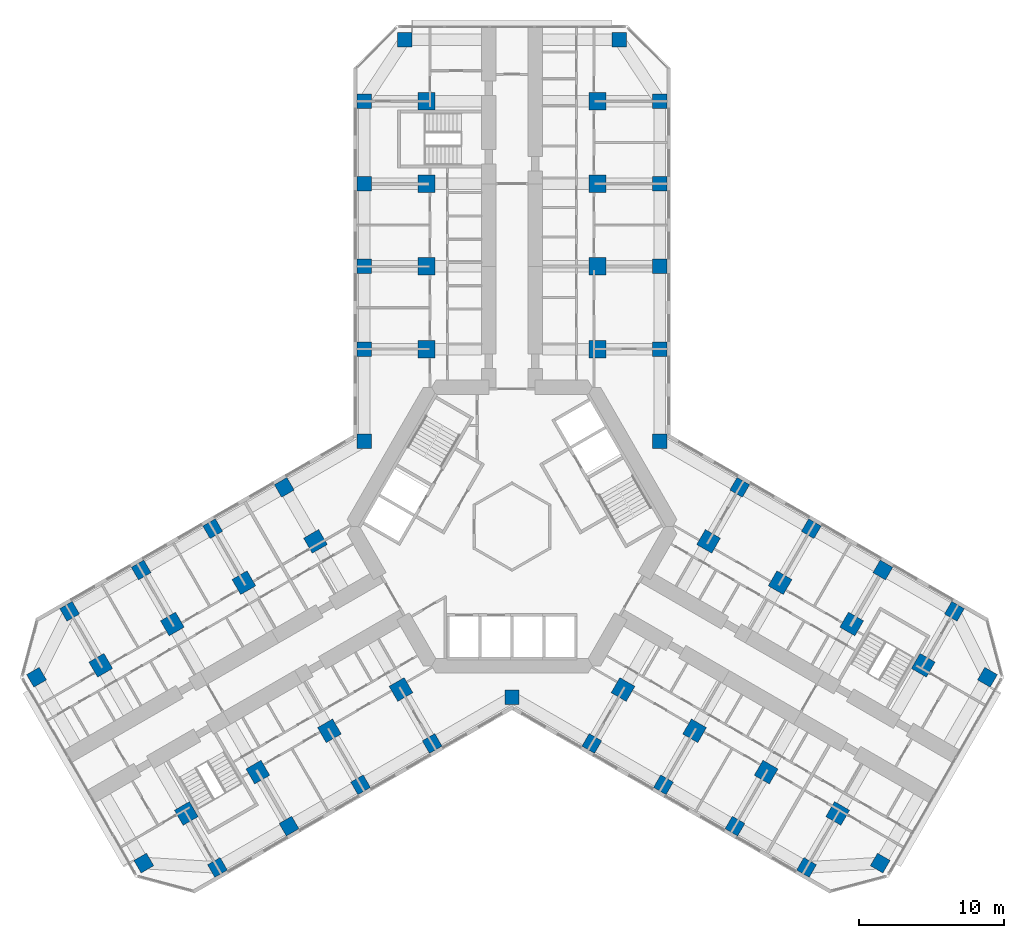
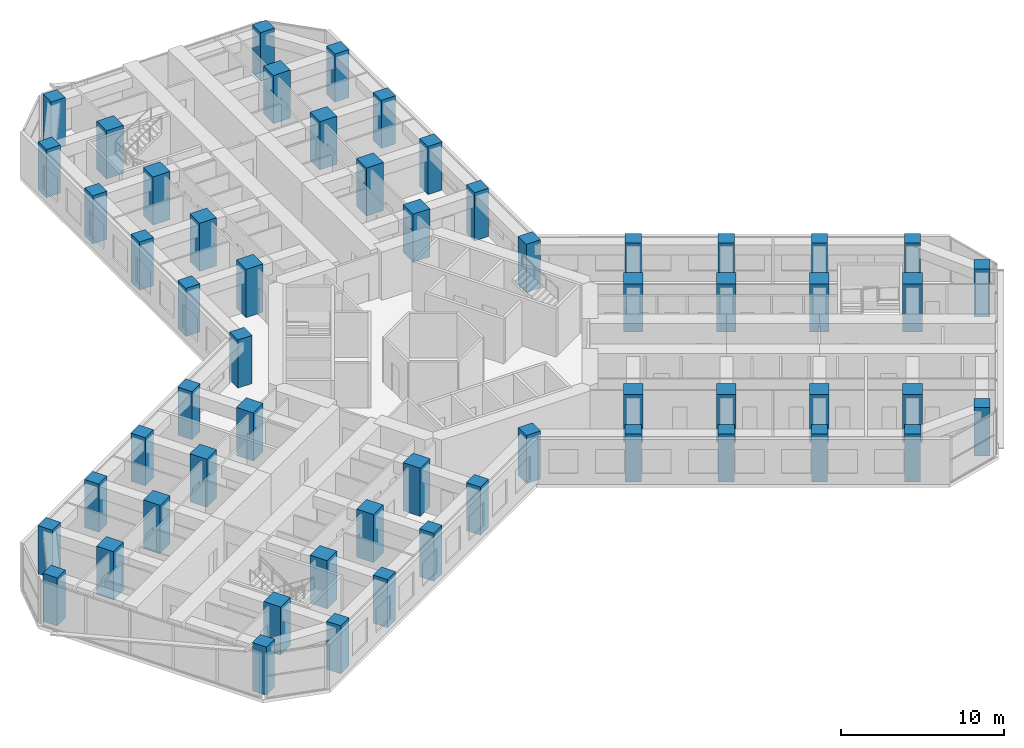
# One storey, part 1 of 21: 57 columns.
"""IFC4 building model written with IfcOpenShell, lengths in metres."""

import ifcopenshell
import ifcopenshell.guid

model = None  # the IFC model being written
_history = None  # IfcOwnerHistory: only IFC2X3 demands one
_inside = {}  # id of a spatial element -> (the spatial element, [elements in it])
_under = {}  # id of a project, library or spatial element -> (it, [spatial elements below it])
_declared = {}  # id of a project -> (the project, [libraries it declares])
_typed = {}  # id of a type object -> (the type object, [elements of that type])
_made_of = {}  # id of a material, layer set ... -> (it, [elements and type objects made of it])


def new_model(schema):
    """Start an empty IFC model of exactly this schema.

    Asked for "IFC4X3", IfcOpenShell would pick the latest addendum, in which some entities
    have other attributes; the version numbers below select the first issue.
    IFC2X3 requires an IfcOwnerHistory on every rooted entity: one is made here for all.
    """
    global model, _history
    if schema == "IFC4X3":
        model = ifcopenshell.file(schema_version=(4, 3, 0, 0))
    else:
        model = ifcopenshell.file(schema=schema)
    _inside.clear()
    _under.clear()
    _declared.clear()
    _typed.clear()
    _made_of.clear()
    _history = None
    if model.schema == "IFC2X3":
        org = make("IfcOrganization", Name="unknown")
        user = make(
            "IfcPersonAndOrganization",
            ThePerson=make("IfcPerson", FamilyName="unknown"),
            TheOrganization=org,
        )
        app = make(
            "IfcApplication",
            ApplicationDeveloper=org,
            Version="unknown",
            ApplicationFullName="unknown",
            ApplicationIdentifier="unknown",
        )
        _history = make(
            "IfcOwnerHistory",
            OwningUser=user,
            OwningApplication=app,
            ChangeAction="ADDED",
            CreationDate=0,
        )
    return model


def make(cls, **values):
    """One entity of the class cls with the attributes given. An attribute that is None is left unset."""
    return model.create_entity(
        cls, **{name: value for name, value in values.items() if value is not None}
    )


def rooted(cls, **values):
    """An entity with a GlobalId (a new one), such as an element, a storey or a relation."""
    return make(cls, GlobalId=ifcopenshell.guid.new(), OwnerHistory=_history, **values)


def si_unit(unit_type, name, prefix=None):
    """IfcSIUnit, for example si_unit("LENGTHUNIT", "METRE", prefix="MILLI")."""
    return make("IfcSIUnit", UnitType=unit_type, Prefix=prefix, Name=name)


def assignment(units):
    """IfcUnitAssignment: the units of a project."""
    return None if units is None else make("IfcUnitAssignment", Units=units)


def point(xyz):
    """IfcCartesianPoint."""
    return None if xyz is None else make("IfcCartesianPoint", Coordinates=xyz)


def direction(xyz):
    """IfcDirection."""
    return None if xyz is None else make("IfcDirection", DirectionRatios=xyz)


def frame(location, z_axis=None, x_axis=None):
    """IfcAxis2Placement3D, a coordinate frame: its origin and axes. An axis left out is left unset."""
    return make(
        "IfcAxis2Placement3D",
        Location=point(location),
        Axis=direction(z_axis),
        RefDirection=direction(x_axis),
    )


def frame_2d(location, x_axis=None):
    """IfcAxis2Placement2D, a coordinate frame in the plane: its origin and x axis."""
    return make(
        "IfcAxis2Placement2D", Location=point(location), RefDirection=direction(x_axis)
    )


def origin():
    """The frame at (0, 0, 0) with its axes left unset."""
    return frame((0.0, 0.0, 0.0))


def origin_2d():
    """The frame at (0, 0) in the plane with its x axis left unset."""
    return frame_2d((0.0, 0.0))


def place(relative_to, where):
    """IfcLocalPlacement: puts the frame where relative to a parent placement (None: the world)."""
    return make(
        "IfcLocalPlacement", PlacementRelTo=relative_to, RelativePlacement=where
    )


def context(
    kind, dimensions, precision=None, world=None, true_north=None, identifier=None
):
    """IfcGeometricRepresentationContext, for example the 3D "Model" context."""
    return make(
        "IfcGeometricRepresentationContext",
        ContextIdentifier=identifier,
        ContextType=kind,
        CoordinateSpaceDimension=dimensions,
        Precision=precision,
        WorldCoordinateSystem=world,
        TrueNorth=true_north,
    )


def subcontext(parent, identifier, kind, view, scale=None):
    """IfcGeometricRepresentationSubContext, for example "Body" below "Model"."""
    return make(
        "IfcGeometricRepresentationSubContext",
        ContextIdentifier=identifier,
        ContextType=kind,
        ParentContext=parent,
        TargetScale=scale,
        TargetView=view,
    )


def project(units=None, contexts=None):
    """IfcProject with its units and contexts."""
    return rooted(
        "IfcProject",
        Name="project",
        RepresentationContexts=contexts,
        UnitsInContext=assignment(units),
    )


def spatial(cls, under=None, at=None, **own):
    """A site, building, storey or space (cls), placed at a placement, below another one or the project."""
    s = rooted(cls, ObjectPlacement=at, **own)
    if under is not None:
        _under.setdefault(under.id(), (under, []))[1].append(s)
    return s


def profile(cls, at=None, kind="AREA", **sizes):
    """A parametric profile (cls). Its sizes go by their IFC names, for example OverallWidth=200.0."""
    return make(cls, ProfileType=kind, Position=at, **sizes)


def rectangle(**sizes):
    """IfcRectangleProfileDef."""
    return profile("IfcRectangleProfileDef", **sizes)


def extrude(swept, where, along, depth):
    """IfcExtrudedAreaSolid: the profile swept, set in the frame where, extruded along a direction by depth."""
    return make(
        "IfcExtrudedAreaSolid",
        SweptArea=swept,
        Position=where,
        ExtrudedDirection=direction(along),
        Depth=depth,
    )


def shape(context_of_items, identifier, shape_type, items):
    """IfcShapeRepresentation: the items that make up one representation, for example the "Body"."""
    return make(
        "IfcShapeRepresentation",
        ContextOfItems=context_of_items,
        RepresentationIdentifier=identifier,
        RepresentationType=shape_type,
        Items=items,
    )


def material(Name=None, Category=None):
    """IfcMaterial."""
    return make("IfcMaterial", Name=Name, Category=Category)


def material_profile(
    of_material, cross_section, Name=None, Category=None, Priority=None
):
    """IfcMaterialProfile: a cross section and its material."""
    return make(
        "IfcMaterialProfile",
        Name=Name,
        Material=of_material,
        Profile=cross_section,
        Priority=Priority,
        Category=Category,
    )


def profile_set(profiles, Name=None, composite=None):
    """IfcMaterialProfileSet."""
    return make(
        "IfcMaterialProfileSet",
        Name=Name,
        MaterialProfiles=profiles,
        CompositeProfile=composite,
    )


def made_of(thing, what):
    """Note that an element or type object is made of a material, layer set ...; save() writes the relation."""
    if what is not None:
        _made_of.setdefault(what.id(), (what, []))[1].append(thing)
    return thing


def type_object(cls, material=None, **own):
    """A type object (cls), such as IfcWallType, which elements share."""
    return made_of(rooted(cls, **own), material)


def element(
    cls,
    number,
    at=None,
    inside=None,
    cuts=None,
    type_object=None,
    material=None,
    context=None,
    identifier="Body",
    shape_type=None,
    held_by="IfcProductDefinitionShape",
    body=None,
    shapes=None,
    **own,
):
    """One element of the class cls, such as IfcWall. Its Tag is "e" and its number.

    at: its placement. inside: the storey or other place that contains it. cuts: it is an
    opening in that element (IfcRelVoidsElement). A single representation is given by context,
    identifier, shape_type and body (its items); several are given by shapes. held_by: the class
    of the entity that holds the representations. save() writes the other relations.
    """
    e = rooted(cls, Tag="e%d" % number, ObjectPlacement=at, **own)
    if body is not None:
        shapes = [shape(context, identifier, shape_type, body)]
    if shapes is not None:
        e.Representation = make(held_by, Representations=shapes)
    if inside is not None:
        _inside.setdefault(inside.id(), (inside, []))[1].append(e)
    if cuts is not None:
        rooted(
            "IfcRelVoidsElement", RelatingBuildingElement=cuts, RelatedOpeningElement=e
        )
    if type_object is not None:
        _typed.setdefault(type_object.id(), (type_object, []))[1].append(e)
    return made_of(e, material)


def aggregate(whole, parts):
    """IfcRelAggregates: a whole, such as a stair, and the parts it consists of."""
    return rooted("IfcRelAggregates", RelatingObject=whole, RelatedObjects=parts)


def save(model, path):
    """Write the relations noted so far, then the file.

    IfcRelAggregates (storeys below a building ...), IfcRelContainedInSpatialStructure (elements
    in a storey), IfcRelDefinesByType, IfcRelAssociatesMaterial and IfcRelDeclares: one each for
    every whole, place, type object, material and project.
    """
    for whole, parts in _under.values():
        aggregate(whole, parts)
    for where, things in _inside.values():
        rooted(
            "IfcRelContainedInSpatialStructure",
            RelatedElements=things,
            RelatingStructure=where,
        )
    for kind, things in _typed.values():
        rooted("IfcRelDefinesByType", RelatedObjects=things, RelatingType=kind)
    for what, things in _made_of.values():
        rooted("IfcRelAssociatesMaterial", RelatedObjects=things, RelatingMaterial=what)
    for by, libraries in _declared.values():
        rooted("IfcRelDeclares", RelatingContext=by, RelatedDefinitions=libraries)
    model.write(path)


model = new_model("IFC4")

# Units and contexts
model_context = context("Model", 3, precision=1e-05, world=origin(), true_north=direction((0.0, 1.0)))
body_context = subcontext(model_context, "Body", "Model", "MODEL_VIEW")
ifc_project = project(units=[si_unit("LENGTHUNIT", "METRE"), si_unit("AREAUNIT", "SQUARE_METRE"), si_unit("VOLUMEUNIT", "CUBIC_METRE"), si_unit("PLANEANGLEUNIT", "RADIAN"), si_unit("MASSUNIT", "GRAM", prefix="KILO")], contexts=[model_context])

# Site, building, storey
site_placement = place(None, origin())
site = spatial("IfcSite", under=ifc_project, at=site_placement, CompositionType="ELEMENT")
building_placement = place(site_placement, origin())
building = spatial("IfcBuilding", under=site, at=building_placement, Name="Kosmar Iwan School Tower", CompositionType="ELEMENT")
storey_placement = place(building_placement, frame((0.0, 0.0, 46.60009765625)))
storey = spatial("IfcBuildingStorey", under=building, at=storey_placement, Name="L10", CompositionType="ELEMENT", Elevation=46.60009765625)

# Columns
ifc_material_1 = material(Name="Concrete C50/60", Category="concrete")
ifc_material_profile_1 = material_profile(ifc_material_1, rectangle(XDim=1.0, YDim=1.0, at=origin_2d()), Name="RC 1000x1000 + HD 400x677")
ifc_profile_set_1 = profile_set([ifc_material_profile_1], Name="Concrete C50/60")
column_type_1 = type_object("IfcColumnType", Name="Composite column 1000x1000 HD 400x677", PredefinedType="COLUMN", material=ifc_profile_set_1)
for number, where, z_axis, x_axis, name in (
    (1, (-10.199951171875, 12.25, 0.0), (0.0, 0.0, 1.0), (0.0, 1.0, 0.0), "Column AL1 L10"),
    (2, (-10.199951171875, 17.949951171875, 0.0), (0.0, 0.0, 1.0), (0.0, 1.0, 0.0), "Column AL2 L10"),
    (3, (-10.199951171875, 23.64990234375, 0.0), (0.0, 0.0, 1.0), (0.0, 1.0, 0.0), "Column AL3 L10"),
    (4, (-10.199951171875, 29.35009765625, 0.0), (0.0, 0.0, 1.0), (0.0, 1.0, 0.0), "Column AL4 L10"),
    (5, (-7.39990234375, 33.60009765625, 0.0), (0.0, 0.0, 1.0), (0.0, 1.0, 0.0), "Column ALTIP L10"),
    (6, (10.199951171875, 12.25, 0.0), (0.0, 0.0, 1.0), (0.0, 1.0, 0.0), "Column AR1 L10"),
    (7, (10.199951171875, 17.949951171875, 0.0), (0.0, 0.0, 1.0), (0.0, 1.0, 0.0), "Column AR2 L10"),
    (8, (10.199951171875, 23.64990234375, 0.0), (0.0, 0.0, 1.0), (0.0, 1.0, 0.0), "Column AR3 L10"),
    (9, (10.199951171875, 29.35009765625, 0.0), (0.0, 0.0, 1.0), (0.0, 1.0, 0.0), "Column AR4 L10"),
    (10, (7.39990234375, 33.60009765625, 0.0), (0.0, 0.0, 1.0), (0.0, 1.0, 0.0), "Column ARTIP L10"),
    (11, (-5.5087890625, -14.95849609375, 0.0), (0.0, 0.0, 1.0), (-0.866025403784, -0.5, 0.0), "Column BL1 L10"),
    (12, (-10.445068359375, -17.808349609375, 0.0), (0.0, 0.0, 1.0), (-0.866025403784, -0.5, 0.0), "Column BL2 L10"),
    (13, (-15.381591796875, -20.658447265625, 0.0), (0.0, 0.0, 1.0), (-0.866025403784, -0.5, 0.0), "Column BL3 L10"),
    (14, (-20.31787109375, -23.508544921875, 0.0), (0.0, 0.0, 1.0), (-0.866025403784, -0.5, 0.0), "Column BL4 L10"),
    (15, (-25.3984375, -23.20849609375, 0.0), (0.0, 0.0, 1.0), (-0.866025403784, -0.5, 0.0), "Column BLTIP L10"),
    (16, (-15.708740234375, 2.70849609375, 0.0), (0.0, 0.0, 1.0), (-0.866025403784, -0.5, 0.0), "Column BR1 L10"),
    (17, (-20.645263671875, -0.1416015625, 0.0), (0.0, 0.0, 1.0), (-0.866025403784, -0.5, 0.0), "Column BR2 L10"),
    (18, (-25.58154296875, -2.991455078125, 0.0), (0.0, 0.0, 1.0), (-0.866025403784, -0.5, 0.0), "Column BR3 L10"),
    (19, (-30.517822265625, -5.841552734375, 0.0), (0.0, 0.0, 1.0), (-0.866025403784, -0.5, 0.0), "Column BR4 L10"),
    (20, (-32.79833984375, -10.391357421875, 0.0), (0.0, 0.0, 1.0), (-0.866025403784, -0.5, 0.0), "Column BRTIP L10"),
    (21, (15.708740234375, 2.70849609375, 0.0), (0.0, 0.0, 1.0), (0.866025403784, -0.5, 0.0), "Column CL1 L10"),
    (22, (20.645263671875, -0.1416015625, 0.0), (0.0, 0.0, 1.0), (0.866025403784, -0.5, 0.0), "Column CL2 L10"),
    (23, (25.58154296875, -2.991455078125, 0.0), (0.0, 0.0, 1.0), (0.866025403784, -0.5, 0.0), "Column CL3 L10"),
    (24, (30.517822265625, -5.841552734375, 0.0), (0.0, 0.0, 1.0), (0.866025403784, -0.5, 0.0), "Column CL4 L10"),
    (25, (32.79833984375, -10.391357421875, 0.0), (0.0, 0.0, 1.0), (0.866025403784, -0.5, 0.0), "Column CLTIP L10"),
    (26, (5.5087890625, -14.95849609375, 0.0), (0.0, 0.0, 1.0), (0.866025403784, -0.5, 0.0), "Column CR1 L10"),
    (27, (10.445068359375, -17.808349609375, 0.0), (0.0, 0.0, 1.0), (0.866025403784, -0.5, 0.0), "Column CR2 L10"),
    (28, (15.381591796875, -20.658447265625, 0.0), (0.0, 0.0, 1.0), (0.866025403784, -0.5, 0.0), "Column CR3 L10"),
    (29, (20.31787109375, -23.508544921875, 0.0), (0.0, 0.0, 1.0), (0.866025403784, -0.5, 0.0), "Column CR4 L10"),
    (30, (25.3984375, -23.20849609375, 0.0), (0.0, 0.0, 1.0), (0.866025403784, -0.5, 0.0), "Column CRTIP L10"),
    (31, (-10.199951171875, 5.888916015625, 0.0), (0.0, 0.0, 1.0), (1.0, 0.0, 0.0), "Column RAB L10"),
    (32, (10.199951171875, 5.888916015625, 0.0), (0.0, 0.0, 1.0), (1.0, 0.0, 0.0), "Column RAC L10"),
    (33, (0.0, -11.77783203125, 0.0), (0.0, 0.0, 1.0), (1.0, 0.0, 0.0), "Column RBC L10"),
):
    element("IfcColumn", number, at=place(storey_placement, frame(where, z_axis=z_axis, x_axis=x_axis)), inside=storey, type_object=column_type_1, Name=name, PredefinedType="COLUMN", context=body_context, shape_type="SweptSolid", body=[
        extrude(rectangle(XDim=1.0, YDim=1.0, at=origin_2d()), origin(), (0.0, 0.0, 1.0), 3.599853515625),
    ])
ifc_material_2 = material(Name="Concrete C50/60", Category="concrete")
ifc_material_profile_2 = material_profile(ifc_material_2, rectangle(XDim=1.199951171875, YDim=1.199951171875, at=origin_2d()), Name="RC 1200x1200")
ifc_profile_set_2 = profile_set([ifc_material_profile_2], Name="Concrete C50/60")
column_type_2 = type_object("IfcColumnType", Name="RC interior column 1200x1200", PredefinedType="COLUMN", material=ifc_profile_set_2)
for number, where, z_axis, x_axis, name in (
    (34, (-5.89990234375, 12.25, 0.0), (0.0, 0.0, 1.0), (0.0, 1.0, 0.0), "Interior column ALI1 L10"),
    (35, (-5.89990234375, 17.949951171875, 0.0), (0.0, 0.0, 1.0), (0.0, 1.0, 0.0), "Interior column ALI2 L10"),
    (36, (-5.89990234375, 23.64990234375, 0.0), (0.0, 0.0, 1.0), (0.0, 1.0, 0.0), "Interior column ALI3 L10"),
    (37, (-5.89990234375, 29.35009765625, 0.0), (0.0, 0.0, 1.0), (0.0, 1.0, 0.0), "Interior column ALI4 L10"),
    (38, (5.89990234375, 12.25, 0.0), (0.0, 0.0, 1.0), (0.0, 1.0, 0.0), "Interior column ARI1 L10"),
    (39, (5.89990234375, 17.949951171875, 0.0), (0.0, 0.0, 1.0), (0.0, 1.0, 0.0), "Interior column ARI2 L10"),
    (40, (5.89990234375, 23.64990234375, 0.0), (0.0, 0.0, 1.0), (0.0, 1.0, 0.0), "Interior column ARI3 L10"),
    (41, (5.89990234375, 29.35009765625, 0.0), (0.0, 0.0, 1.0), (0.0, 1.0, 0.0), "Interior column ARI4 L10"),
    (42, (-7.65869140625, -11.234619140625, 0.0), (0.0, 0.0, 1.0), (-0.866025403784, -0.5, 0.0), "Interior column BLI1 L10"),
    (43, (-12.59521484375, -14.08447265625, 0.0), (0.0, 0.0, 1.0), (-0.866025403784, -0.5, 0.0), "Interior column BLI2 L10"),
    (44, (-17.531494140625, -16.9345703125, 0.0), (0.0, 0.0, 1.0), (-0.866025403784, -0.5, 0.0), "Interior column BLI3 L10"),
    (45, (-22.4677734375, -19.78466796875, 0.0), (0.0, 0.0, 1.0), (-0.866025403784, -0.5, 0.0), "Interior column BLI4 L10"),
    (46, (-13.558837890625, -1.015380859375, 0.0), (0.0, 0.0, 1.0), (-0.866025403784, -0.5, 0.0), "Interior column BRI1 L10"),
    (47, (-18.4951171875, -3.865478515625, 0.0), (0.0, 0.0, 1.0), (-0.866025403784, -0.5, 0.0), "Interior column BRI2 L10"),
    (48, (-23.431396484375, -6.71533203125, 0.0), (0.0, 0.0, 1.0), (-0.866025403784, -0.5, 0.0), "Interior column BRI3 L10"),
    (49, (-28.367919921875, -9.5654296875, 0.0), (0.0, 0.0, 1.0), (-0.866025403784, -0.5, 0.0), "Interior column BRI4 L10"),
    (50, (13.558837890625, -1.015380859375, 0.0), (0.0, 0.0, 1.0), (0.866025403784, -0.5, 0.0), "Interior column CLI1 L10"),
    (51, (18.4951171875, -3.865478515625, 0.0), (0.0, 0.0, 1.0), (0.866025403784, -0.5, 0.0), "Interior column CLI2 L10"),
    (52, (23.431396484375, -6.71533203125, 0.0), (0.0, 0.0, 1.0), (0.866025403784, -0.5, 0.0), "Interior column CLI3 L10"),
    (53, (28.367919921875, -9.5654296875, 0.0), (0.0, 0.0, 1.0), (0.866025403784, -0.5, 0.0), "Interior column CLI4 L10"),
    (54, (7.65869140625, -11.234619140625, 0.0), (0.0, 0.0, 1.0), (0.866025403784, -0.5, 0.0), "Interior column CRI1 L10"),
    (55, (12.59521484375, -14.08447265625, 0.0), (0.0, 0.0, 1.0), (0.866025403784, -0.5, 0.0), "Interior column CRI2 L10"),
    (56, (17.531494140625, -16.9345703125, 0.0), (0.0, 0.0, 1.0), (0.866025403784, -0.5, 0.0), "Interior column CRI3 L10"),
    (57, (22.4677734375, -19.78466796875, 0.0), (0.0, 0.0, 1.0), (0.866025403784, -0.5, 0.0), "Interior column CRI4 L10"),
):
    element("IfcColumn", number, at=place(storey_placement, frame(where, z_axis=z_axis, x_axis=x_axis)), inside=storey, type_object=column_type_2, Name=name, PredefinedType="COLUMN", context=body_context, shape_type="SweptSolid", body=[
        extrude(rectangle(XDim=1.199951171875, YDim=1.199951171875, at=origin_2d()), origin(), (0.0, 0.0, 1.0), 3.599853515625),
    ])

save(model, "model.ifc")
